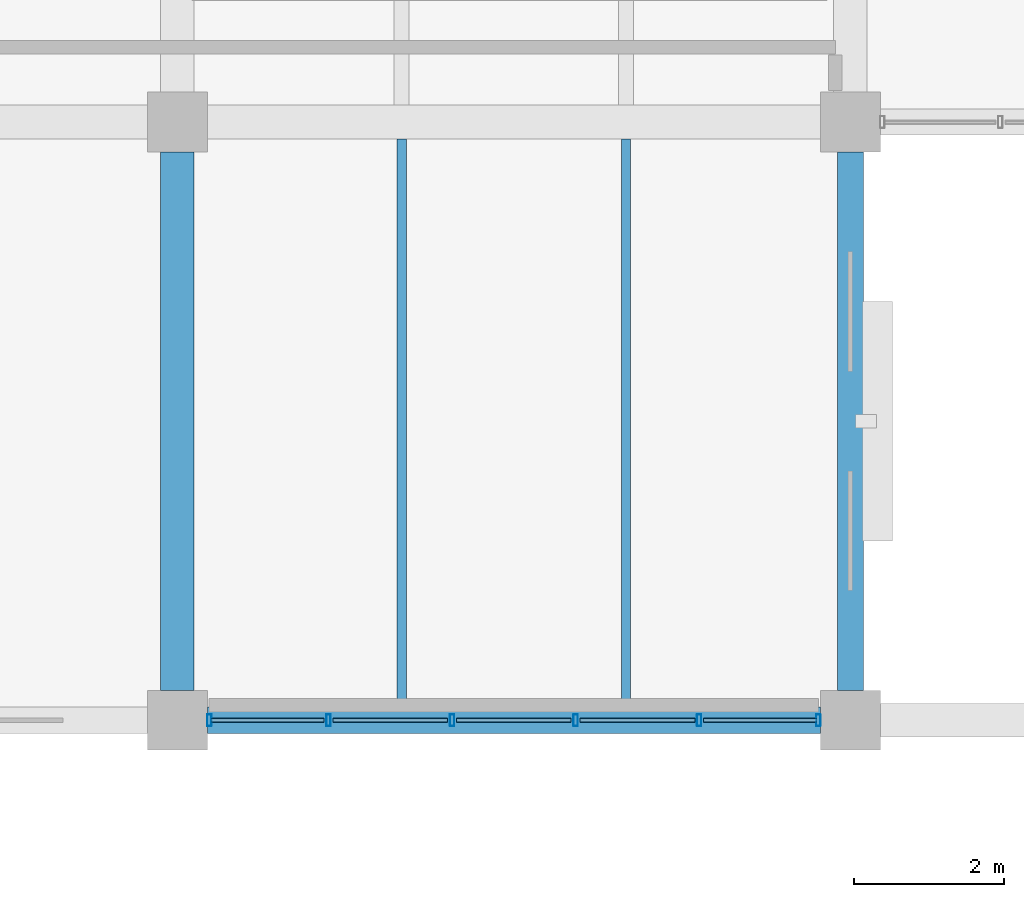
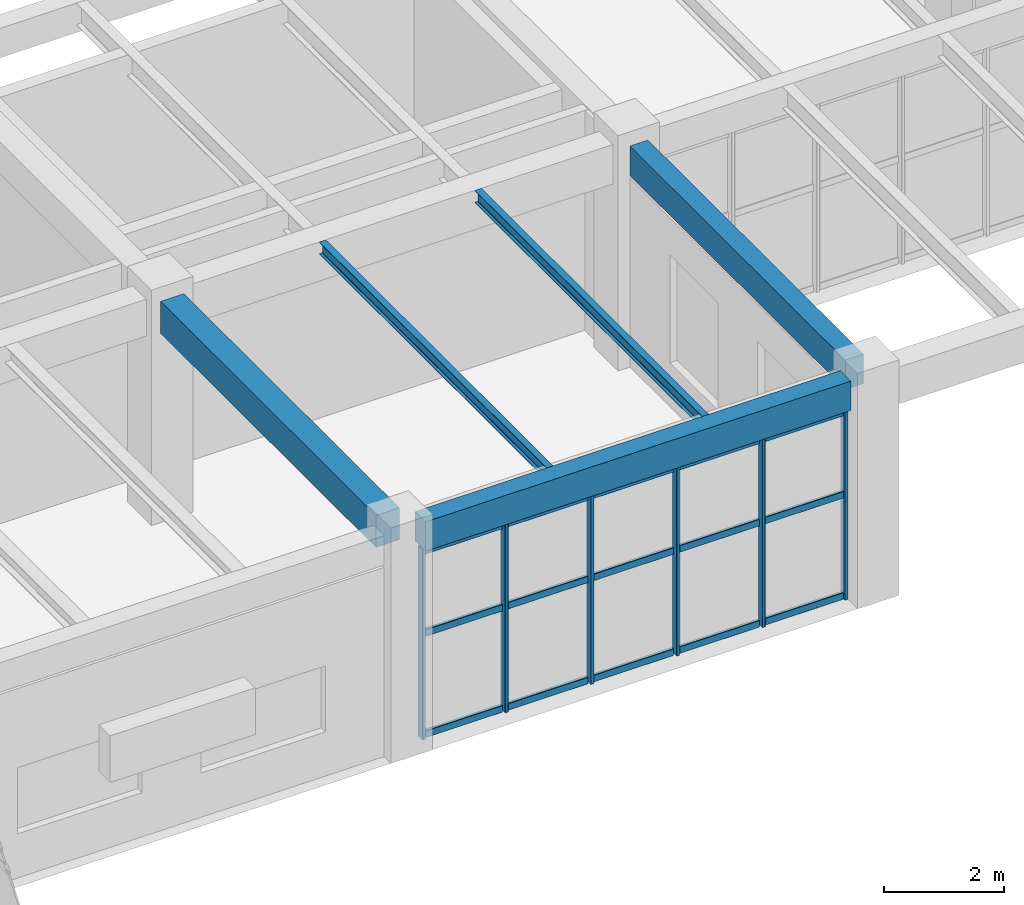
# One storey, part 33 of 178: 21 members, 5 beams, 1 element without a shape of its own.
"""IFC4 building model written with IfcOpenShell, lengths in metres."""

from ifc_helpers import new_model, si_unit, derived_unit, direction, frame, origin, origin_2d, place, context, subcontext, project, spatial, rectangle, hollow_rectangle, i_section, extrude, material, material_profile, profile_set, type_object, element, aggregate, save


model = new_model("IFC4")

# Units and contexts
model_context = context("Model", 3, precision=1e-05, world=origin(), true_north=direction((0.0, 1.0)))
body_context = subcontext(model_context, "Body", "Model", "MODEL_VIEW")
ifc_project = project(units=[si_unit("LENGTHUNIT", "METRE"), si_unit("AREAUNIT", "SQUARE_METRE"), si_unit("VOLUMEUNIT", "CUBIC_METRE"), si_unit("PLANEANGLEUNIT", "RADIAN"), si_unit("MASSUNIT", "GRAM", prefix="KILO"), derived_unit("THERMALTRANSMITTANCEUNIT", [(si_unit("MASSUNIT", "GRAM", prefix="KILO"), 1), (si_unit("TIMEUNIT", "SECOND"), -3), (si_unit("THERMODYNAMICTEMPERATUREUNIT", "KELVIN"), -1)])], contexts=[model_context])

# Site, building, storey
site_placement = place(None, origin())
site = spatial("IfcSite", under=ifc_project, at=site_placement, CompositionType="ELEMENT")
building_placement = place(site_placement, origin())
building = spatial("IfcBuilding", under=site, at=building_placement, Name="Zhenchuan Archway Interchange", CompositionType="ELEMENT")
storey_placement = place(building_placement, frame((0.0, 0.0, 5.39990234375)))
storey = spatial("IfcBuildingStorey", under=building, at=storey_placement, Name="L01", CompositionType="ELEMENT", Elevation=5.39990234375)

# Beam
ifc_material_1 = material(Name="Concrete C40", Category="concrete")
ifc_material_profile_1 = material_profile(ifc_material_1, rectangle(XDim=0.449951171875, YDim=0.64990234375, at=origin_2d()), Name="RC 450x650")
ifc_profile_set_1 = profile_set([ifc_material_profile_1], Name="Concrete C40")
beam_type_1 = type_object("IfcBeamType", Name="BM_RC_450x650", PredefinedType="BEAM", material=ifc_profile_set_1)
beam_1_placement = place(storey_placement, frame((54.0, 16.39990234375, 4.18505859375), z_axis=(0.0, 1.0, 0.0), x_axis=(-1.0, 0.0, 0.0)))
element("IfcBeam", 1, at=beam_1_placement, inside=storey, type_object=beam_type_1, Name="Beam 7:C-D (L01)", PredefinedType="BEAM", context=body_context, shape_type="SweptSolid", body=[
    extrude(rectangle(XDim=0.449951171875, YDim=0.64990234375, at=origin_2d()), origin(), (0.0, 0.0, 1.0), 7.2001953125),
])

# Curtain wall, members
ifc_material_2 = material(Name="Anodised Aluminium", Category="aluminium")
curtain_wall_type = type_object("IfcCurtainWallType", Name="CW_UNIT_1", PredefinedType="NOTDEFINED", material=ifc_material_2)
curtain_wall_placement = place(storey_placement, origin())
curtain_wall = element("IfcCurtainWall", 2, at=curtain_wall_placement, inside=storey, type_object=curtain_wall_type, Name="Unitised curtain wall CW:L01:080", PredefinedType="NOTDEFINED")
ifc_material_profile_2 = material_profile(ifc_material_2, hollow_rectangle(XDim=0.06005859375, YDim=0.159912109375, WallThickness=0.00390625, InnerFilletRadius=0.00390625, OuterFilletRadius=0.008056640625, at=origin_2d()), Name="ALU 160x60x4")
ifc_profile_set_2 = profile_set([ifc_material_profile_2], Name="Anodised Aluminium")
member_type_1 = type_object("IfcMemberType", Name="CW_MUL_150", PredefinedType="MULLION", material=ifc_profile_set_2)
member_1_placement = place(storey_placement, frame((62.572021484375, 16.0, 0.0), z_axis=(0.0, 0.0, 1.0), x_axis=(1.0, 0.0, 0.0)))
member_1 = element("IfcMember", 3, at=member_1_placement, type_object=member_type_1, Name="CW:L01:080 mullion 0", PredefinedType="MULLION", context=body_context, shape_type="SweptSolid", body=[
    extrude(hollow_rectangle(XDim=0.06005859375, YDim=0.159912109375, WallThickness=0.00390625, InnerFilletRadius=0.00390625, OuterFilletRadius=0.008056640625, at=origin_2d()), origin(), (0.0, 0.0, 1.0), 3.880126953125),
])
member_2_placement = place(storey_placement, frame((60.979248046875, 16.0, 0.0), z_axis=(0.0, 0.0, 1.0), x_axis=(1.0, 0.0, 0.0)))
member_2 = element("IfcMember", 4, at=member_2_placement, type_object=member_type_1, Name="CW:L01:080 mullion 1", PredefinedType="MULLION", context=body_context, shape_type="SweptSolid", body=[
    extrude(hollow_rectangle(XDim=0.06005859375, YDim=0.159912109375, WallThickness=0.00390625, InnerFilletRadius=0.00390625, OuterFilletRadius=0.008056640625, at=origin_2d()), origin(), (0.0, 0.0, 1.0), 3.880126953125),
])
member_3_placement = place(storey_placement, frame((59.326416015625, 16.0, 0.0), z_axis=(0.0, 0.0, 1.0), x_axis=(1.0, 0.0, 0.0)))
member_3 = element("IfcMember", 5, at=member_3_placement, type_object=member_type_1, Name="CW:L01:080 mullion 2", PredefinedType="MULLION", context=body_context, shape_type="SweptSolid", body=[
    extrude(hollow_rectangle(XDim=0.06005859375, YDim=0.159912109375, WallThickness=0.00390625, InnerFilletRadius=0.00390625, OuterFilletRadius=0.008056640625, at=origin_2d()), origin(), (0.0, 0.0, 1.0), 3.880126953125),
])
member_4_placement = place(storey_placement, frame((57.673583984375, 16.0, 0.0), z_axis=(0.0, 0.0, 1.0), x_axis=(1.0, 0.0, 0.0)))
member_4 = element("IfcMember", 6, at=member_4_placement, type_object=member_type_1, Name="CW:L01:080 mullion 3", PredefinedType="MULLION", context=body_context, shape_type="SweptSolid", body=[
    extrude(hollow_rectangle(XDim=0.06005859375, YDim=0.159912109375, WallThickness=0.00390625, InnerFilletRadius=0.00390625, OuterFilletRadius=0.008056640625, at=origin_2d()), origin(), (0.0, 0.0, 1.0), 3.880126953125),
])
member_5_placement = place(storey_placement, frame((56.020751953125, 16.0, 0.0), z_axis=(0.0, 0.0, 1.0), x_axis=(1.0, 0.0, 0.0)))
member_5 = element("IfcMember", 7, at=member_5_placement, type_object=member_type_1, Name="CW:L01:080 mullion 4", PredefinedType="MULLION", context=body_context, shape_type="SweptSolid", body=[
    extrude(hollow_rectangle(XDim=0.06005859375, YDim=0.159912109375, WallThickness=0.00390625, InnerFilletRadius=0.00390625, OuterFilletRadius=0.008056640625, at=origin_2d()), origin(), (0.0, 0.0, 1.0), 3.880126953125),
])
member_6_placement = place(storey_placement, frame((54.427978515625, 16.0, 0.0), z_axis=(0.0, 0.0, 1.0), x_axis=(1.0, 0.0, 0.0)))
member_6 = element("IfcMember", 8, at=member_6_placement, type_object=member_type_1, Name="CW:L01:080 mullion 5", PredefinedType="MULLION", context=body_context, shape_type="SweptSolid", body=[
    extrude(hollow_rectangle(XDim=0.06005859375, YDim=0.159912109375, WallThickness=0.00390625, InnerFilletRadius=0.00390625, OuterFilletRadius=0.008056640625, at=origin_2d()), origin(), (0.0, 0.0, 1.0), 3.880126953125),
])
ifc_material_profile_3 = material_profile(ifc_material_2, hollow_rectangle(XDim=0.06005859375, YDim=0.139892578125, WallThickness=0.00341796875, InnerFilletRadius=0.00341796875, OuterFilletRadius=0.007080078125, at=origin_2d()), Name="ALU 140x60x3.5")
ifc_profile_set_3 = profile_set([ifc_material_profile_3], Name="Anodised Aluminium")
member_type_2 = type_object("IfcMemberType", Name="CW_TRN_140", PredefinedType="USERDEFINED", material=ifc_profile_set_3)
member_7_placement = place(storey_placement, frame((62.552001953125, 16.0, 0.06005859375), z_axis=(-1.0, 0.0, 0.0), x_axis=(0.0, -1.0, 0.0)))
member_7 = element("IfcMember", 9, at=member_7_placement, type_object=member_type_2, Name="CW:L01:080 transom 0-1", ObjectType="TRANSOM", PredefinedType="USERDEFINED", context=body_context, shape_type="SweptSolid", body=[
    extrude(hollow_rectangle(XDim=0.06005859375, YDim=0.139892578125, WallThickness=0.00341796875, InnerFilletRadius=0.00341796875, OuterFilletRadius=0.007080078125, at=origin_2d()), origin(), (0.0, 0.0, 1.0), 1.5126953125),
])
member_8_placement = place(storey_placement, frame((62.552001953125, 16.0, 2.123046875), z_axis=(-1.0, 0.0, 0.0), x_axis=(0.0, -1.0, 0.0)))
member_8 = element("IfcMember", 10, at=member_8_placement, type_object=member_type_2, Name="CW:L01:080 transom 0-2", ObjectType="TRANSOM", PredefinedType="USERDEFINED", context=body_context, shape_type="SweptSolid", body=[
    extrude(hollow_rectangle(XDim=0.06005859375, YDim=0.139892578125, WallThickness=0.00341796875, InnerFilletRadius=0.00341796875, OuterFilletRadius=0.007080078125, at=origin_2d()), origin(), (0.0, 0.0, 1.0), 1.5126953125),
])
member_9_placement = place(storey_placement, frame((62.552001953125, 16.0, 3.800048828125), z_axis=(-1.0, 0.0, 0.0), x_axis=(0.0, -1.0, 0.0)))
member_9 = element("IfcMember", 11, at=member_9_placement, type_object=member_type_2, Name="CW:L01:080 transom 0-3", ObjectType="TRANSOM", PredefinedType="USERDEFINED", context=body_context, shape_type="SweptSolid", body=[
    extrude(hollow_rectangle(XDim=0.06005859375, YDim=0.139892578125, WallThickness=0.00341796875, InnerFilletRadius=0.00341796875, OuterFilletRadius=0.007080078125, at=origin_2d()), origin(), (0.0, 0.0, 1.0), 1.5126953125),
])
member_10_placement = place(storey_placement, frame((60.919189453125, 16.0, 0.06005859375), z_axis=(-1.0, 0.0, 0.0), x_axis=(0.0, -1.0, 0.0)))
member_10 = element("IfcMember", 12, at=member_10_placement, type_object=member_type_2, Name="CW:L01:080 transom 1-1", ObjectType="TRANSOM", PredefinedType="USERDEFINED", context=body_context, shape_type="SweptSolid", body=[
    extrude(hollow_rectangle(XDim=0.06005859375, YDim=0.139892578125, WallThickness=0.00341796875, InnerFilletRadius=0.00341796875, OuterFilletRadius=0.007080078125, at=origin_2d()), origin(), (0.0, 0.0, 1.0), 1.53271484375),
])
member_11_placement = place(storey_placement, frame((60.919189453125, 16.0, 2.123046875), z_axis=(-1.0, 0.0, 0.0), x_axis=(0.0, -1.0, 0.0)))
member_11 = element("IfcMember", 13, at=member_11_placement, type_object=member_type_2, Name="CW:L01:080 transom 1-2", ObjectType="TRANSOM", PredefinedType="USERDEFINED", context=body_context, shape_type="SweptSolid", body=[
    extrude(hollow_rectangle(XDim=0.06005859375, YDim=0.139892578125, WallThickness=0.00341796875, InnerFilletRadius=0.00341796875, OuterFilletRadius=0.007080078125, at=origin_2d()), origin(), (0.0, 0.0, 1.0), 1.53271484375),
])
member_12_placement = place(storey_placement, frame((60.919189453125, 16.0, 3.800048828125), z_axis=(-1.0, 0.0, 0.0), x_axis=(0.0, -1.0, 0.0)))
member_12 = element("IfcMember", 14, at=member_12_placement, type_object=member_type_2, Name="CW:L01:080 transom 1-3", ObjectType="TRANSOM", PredefinedType="USERDEFINED", context=body_context, shape_type="SweptSolid", body=[
    extrude(hollow_rectangle(XDim=0.06005859375, YDim=0.139892578125, WallThickness=0.00341796875, InnerFilletRadius=0.00341796875, OuterFilletRadius=0.007080078125, at=origin_2d()), origin(), (0.0, 0.0, 1.0), 1.53271484375),
])
member_13_placement = place(storey_placement, frame((59.266357421875, 16.0, 0.06005859375), z_axis=(-1.0, 0.0, 0.0), x_axis=(0.0, -1.0, 0.0)))
member_13 = element("IfcMember", 15, at=member_13_placement, type_object=member_type_2, Name="CW:L01:080 transom 2-1", ObjectType="TRANSOM", PredefinedType="USERDEFINED", context=body_context, shape_type="SweptSolid", body=[
    extrude(hollow_rectangle(XDim=0.06005859375, YDim=0.139892578125, WallThickness=0.00341796875, InnerFilletRadius=0.00341796875, OuterFilletRadius=0.007080078125, at=origin_2d()), origin(), (0.0, 0.0, 1.0), 1.53271484375),
])
member_14_placement = place(storey_placement, frame((59.266357421875, 16.0, 2.123046875), z_axis=(-1.0, 0.0, 0.0), x_axis=(0.0, -1.0, 0.0)))
member_14 = element("IfcMember", 16, at=member_14_placement, type_object=member_type_2, Name="CW:L01:080 transom 2-2", ObjectType="TRANSOM", PredefinedType="USERDEFINED", context=body_context, shape_type="SweptSolid", body=[
    extrude(hollow_rectangle(XDim=0.06005859375, YDim=0.139892578125, WallThickness=0.00341796875, InnerFilletRadius=0.00341796875, OuterFilletRadius=0.007080078125, at=origin_2d()), origin(), (0.0, 0.0, 1.0), 1.53271484375),
])
member_15_placement = place(storey_placement, frame((59.266357421875, 16.0, 3.800048828125), z_axis=(-1.0, 0.0, 0.0), x_axis=(0.0, -1.0, 0.0)))
member_15 = element("IfcMember", 17, at=member_15_placement, type_object=member_type_2, Name="CW:L01:080 transom 2-3", ObjectType="TRANSOM", PredefinedType="USERDEFINED", context=body_context, shape_type="SweptSolid", body=[
    extrude(hollow_rectangle(XDim=0.06005859375, YDim=0.139892578125, WallThickness=0.00341796875, InnerFilletRadius=0.00341796875, OuterFilletRadius=0.007080078125, at=origin_2d()), origin(), (0.0, 0.0, 1.0), 1.53271484375),
])
member_16_placement = place(storey_placement, frame((57.613525390625, 16.0, 0.06005859375), z_axis=(-1.0, 0.0, 0.0), x_axis=(0.0, -1.0, 0.0)))
member_16 = element("IfcMember", 18, at=member_16_placement, type_object=member_type_2, Name="CW:L01:080 transom 3-1", ObjectType="TRANSOM", PredefinedType="USERDEFINED", context=body_context, shape_type="SweptSolid", body=[
    extrude(hollow_rectangle(XDim=0.06005859375, YDim=0.139892578125, WallThickness=0.00341796875, InnerFilletRadius=0.00341796875, OuterFilletRadius=0.007080078125, at=origin_2d()), origin(), (0.0, 0.0, 1.0), 1.53271484375),
])
member_17_placement = place(storey_placement, frame((57.613525390625, 16.0, 2.123046875), z_axis=(-1.0, 0.0, 0.0), x_axis=(0.0, -1.0, 0.0)))
member_17 = element("IfcMember", 19, at=member_17_placement, type_object=member_type_2, Name="CW:L01:080 transom 3-2", ObjectType="TRANSOM", PredefinedType="USERDEFINED", context=body_context, shape_type="SweptSolid", body=[
    extrude(hollow_rectangle(XDim=0.06005859375, YDim=0.139892578125, WallThickness=0.00341796875, InnerFilletRadius=0.00341796875, OuterFilletRadius=0.007080078125, at=origin_2d()), origin(), (0.0, 0.0, 1.0), 1.53271484375),
])
member_18_placement = place(storey_placement, frame((57.613525390625, 16.0, 3.800048828125), z_axis=(-1.0, 0.0, 0.0), x_axis=(0.0, -1.0, 0.0)))
member_18 = element("IfcMember", 20, at=member_18_placement, type_object=member_type_2, Name="CW:L01:080 transom 3-3", ObjectType="TRANSOM", PredefinedType="USERDEFINED", context=body_context, shape_type="SweptSolid", body=[
    extrude(hollow_rectangle(XDim=0.06005859375, YDim=0.139892578125, WallThickness=0.00341796875, InnerFilletRadius=0.00341796875, OuterFilletRadius=0.007080078125, at=origin_2d()), origin(), (0.0, 0.0, 1.0), 1.53271484375),
])
member_19_placement = place(storey_placement, frame((55.960693359375, 16.0, 0.06005859375), z_axis=(-1.0, 0.0, 0.0), x_axis=(0.0, -1.0, 0.0)))
member_19 = element("IfcMember", 21, at=member_19_placement, type_object=member_type_2, Name="CW:L01:080 transom 4-1", ObjectType="TRANSOM", PredefinedType="USERDEFINED", context=body_context, shape_type="SweptSolid", body=[
    extrude(hollow_rectangle(XDim=0.06005859375, YDim=0.139892578125, WallThickness=0.00341796875, InnerFilletRadius=0.00341796875, OuterFilletRadius=0.007080078125, at=origin_2d()), origin(), (0.0, 0.0, 1.0), 1.5126953125),
])
member_20_placement = place(storey_placement, frame((55.960693359375, 16.0, 2.123046875), z_axis=(-1.0, 0.0, 0.0), x_axis=(0.0, -1.0, 0.0)))
member_20 = element("IfcMember", 22, at=member_20_placement, type_object=member_type_2, Name="CW:L01:080 transom 4-2", ObjectType="TRANSOM", PredefinedType="USERDEFINED", context=body_context, shape_type="SweptSolid", body=[
    extrude(hollow_rectangle(XDim=0.06005859375, YDim=0.139892578125, WallThickness=0.00341796875, InnerFilletRadius=0.00341796875, OuterFilletRadius=0.007080078125, at=origin_2d()), origin(), (0.0, 0.0, 1.0), 1.5126953125),
])
member_21_placement = place(storey_placement, frame((55.960693359375, 16.0, 3.800048828125), z_axis=(-1.0, 0.0, 0.0), x_axis=(0.0, -1.0, 0.0)))
member_21 = element("IfcMember", 23, at=member_21_placement, type_object=member_type_2, Name="CW:L01:080 transom 4-3", ObjectType="TRANSOM", PredefinedType="USERDEFINED", context=body_context, shape_type="SweptSolid", body=[
    extrude(hollow_rectangle(XDim=0.06005859375, YDim=0.139892578125, WallThickness=0.00341796875, InnerFilletRadius=0.00341796875, OuterFilletRadius=0.007080078125, at=origin_2d()), origin(), (0.0, 0.0, 1.0), 1.5126953125),
])
aggregate(curtain_wall, [member_1, member_2, member_3, member_4, member_5, member_6, member_7, member_8, member_9, member_10, member_11, member_12, member_13, member_14, member_15, member_16, member_17, member_18, member_19, member_20, member_21])

# Beams
ifc_material_3 = material(Name="Steel Q355", Category="steel")
ifc_material_profile_4 = material_profile(ifc_material_3, i_section(OverallWidth=0.125, OverallDepth=0.25, WebThickness=0.006103515625, FlangeThickness=0.009033203125, FilletRadius=0.011962890625, at=origin_2d()), Name="HN 250x125")
ifc_profile_set_4 = profile_set([ifc_material_profile_4], Name="Steel Q355")
beam_type_2 = type_object("IfcBeamType", Name="JST_STL_HN250", PredefinedType="JOIST", material=ifc_profile_set_4)
for number, where, z_axis, x_axis, name in (
    (24, (57.0, 16.175048828125, 4.385009765625), (0.0, 1.0, 0.0), (-1.0, 0.0, 0.0), "Secondary joist 7-8/C-D #1 (L01)"),
    (25, (60.0, 16.175048828125, 4.385009765625), (0.0, 1.0, 0.0), (-1.0, 0.0, 0.0), "Secondary joist 7-8/C-D #2 (L01)"),
):
    element("IfcBeam", number, at=place(storey_placement, frame(where, z_axis=z_axis, x_axis=x_axis)), inside=storey, type_object=beam_type_2, Name=name, PredefinedType="JOIST", context=body_context, shape_type="SweptSolid", body=[
        extrude(i_section(OverallWidth=0.125, OverallDepth=0.25, WebThickness=0.006103515625, FlangeThickness=0.009033203125, FilletRadius=0.011962890625, at=origin_2d()), origin(), (0.0, 0.0, 1.0), 7.599853515625),
    ])
ifc_material_profile_5 = material_profile(ifc_material_1, rectangle(XDim=0.35009765625, YDim=0.60009765625, at=origin_2d()), Name="RC 350x600")
ifc_profile_set_5 = profile_set([ifc_material_profile_5], Name="Concrete C40")
beam_type_3 = type_object("IfcBeamType", Name="SP_RC_350x600", PredefinedType="SPANDREL", material=ifc_profile_set_5)
beam_2_placement = place(storey_placement, frame((54.39990234375, 16.0, 4.210205078125), z_axis=(1.0, 0.0, 0.0), x_axis=(0.0, 1.0, 0.0)))
element("IfcBeam", 26, at=beam_2_placement, inside=storey, type_object=beam_type_3, Name="Beam C:7-8 (L01)", PredefinedType="SPANDREL", context=body_context, shape_type="SweptSolid", body=[
    extrude(rectangle(XDim=0.35009765625, YDim=0.60009765625, at=origin_2d()), origin(), (0.0, 0.0, 1.0), 8.2001953125),
])
beam_3_placement = place(storey_placement, frame((63.0, 16.39990234375, 4.210205078125), z_axis=(0.0, 1.0, 0.0), x_axis=(-1.0, 0.0, 0.0)))
element("IfcBeam", 27, at=beam_3_placement, inside=storey, type_object=beam_type_3, Name="Beam 8:C-D (L01)", PredefinedType="SPANDREL", context=body_context, shape_type="SweptSolid", body=[
    extrude(rectangle(XDim=0.35009765625, YDim=0.60009765625, at=origin_2d()), origin(), (0.0, 0.0, 1.0), 7.2001953125),
])

save(model, "model.ifc")
